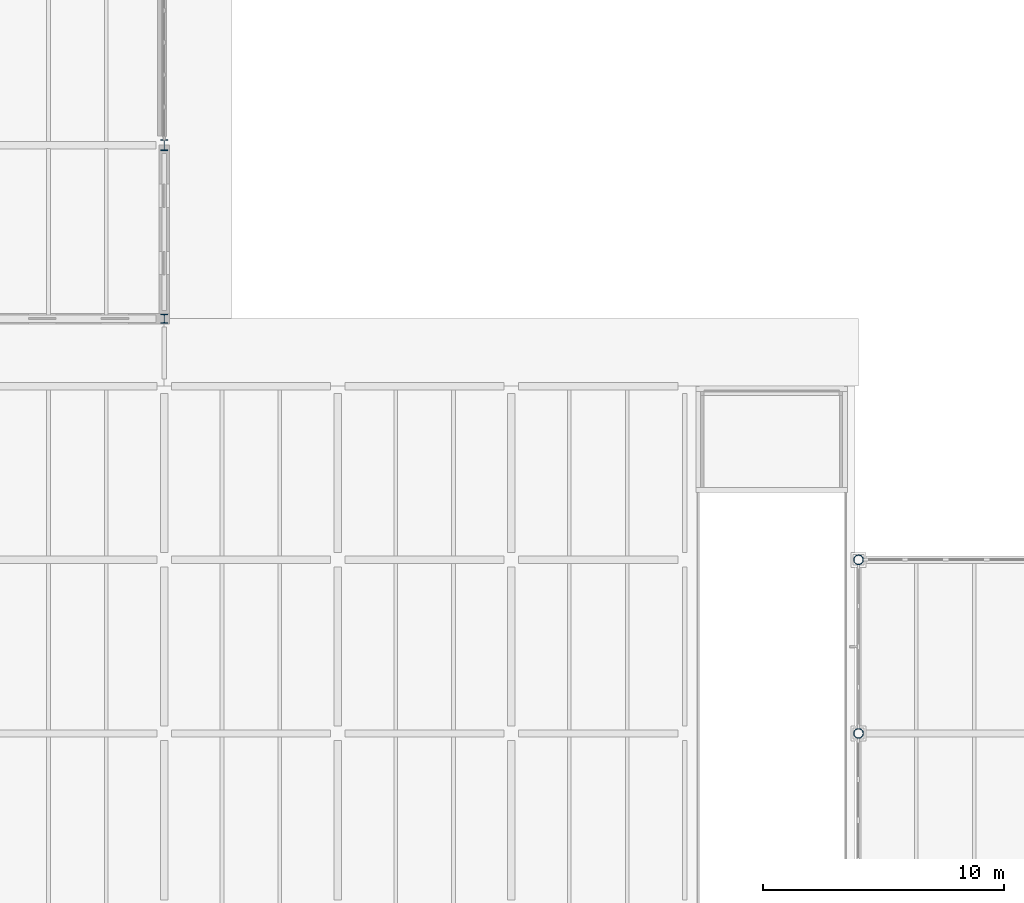
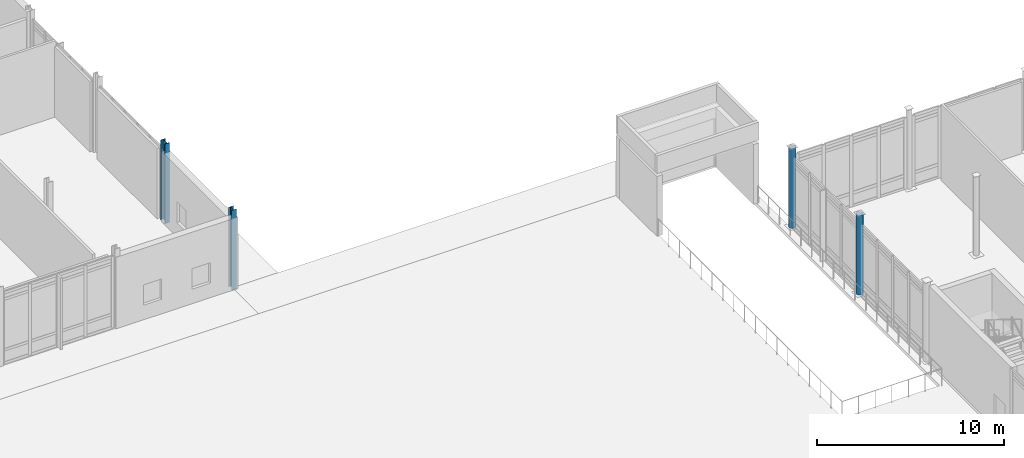
# One storey, part 9 of 89: 4 columns.
"""IFC4 building model written with IfcOpenShell, lengths in metres."""

import ifcopenshell
import ifcopenshell.guid

model = None  # the IFC model being written
_history = None  # IfcOwnerHistory: only IFC2X3 demands one
_inside = {}  # id of a spatial element -> (the spatial element, [elements in it])
_under = {}  # id of a project, library or spatial element -> (it, [spatial elements below it])
_declared = {}  # id of a project -> (the project, [libraries it declares])
_typed = {}  # id of a type object -> (the type object, [elements of that type])
_made_of = {}  # id of a material, layer set ... -> (it, [elements and type objects made of it])


def new_model(schema):
    """Start an empty IFC model of exactly this schema.

    Asked for "IFC4X3", IfcOpenShell would pick the latest addendum, in which some entities
    have other attributes; the version numbers below select the first issue.
    IFC2X3 requires an IfcOwnerHistory on every rooted entity: one is made here for all.
    """
    global model, _history
    if schema == "IFC4X3":
        model = ifcopenshell.file(schema_version=(4, 3, 0, 0))
    else:
        model = ifcopenshell.file(schema=schema)
    _inside.clear()
    _under.clear()
    _declared.clear()
    _typed.clear()
    _made_of.clear()
    _history = None
    if model.schema == "IFC2X3":
        org = make("IfcOrganization", Name="unknown")
        user = make(
            "IfcPersonAndOrganization",
            ThePerson=make("IfcPerson", FamilyName="unknown"),
            TheOrganization=org,
        )
        app = make(
            "IfcApplication",
            ApplicationDeveloper=org,
            Version="unknown",
            ApplicationFullName="unknown",
            ApplicationIdentifier="unknown",
        )
        _history = make(
            "IfcOwnerHistory",
            OwningUser=user,
            OwningApplication=app,
            ChangeAction="ADDED",
            CreationDate=0,
        )
    return model


def make(cls, **values):
    """One entity of the class cls with the attributes given. An attribute that is None is left unset."""
    return model.create_entity(
        cls, **{name: value for name, value in values.items() if value is not None}
    )


def rooted(cls, **values):
    """An entity with a GlobalId (a new one), such as an element, a storey or a relation."""
    return make(cls, GlobalId=ifcopenshell.guid.new(), OwnerHistory=_history, **values)


def si_unit(unit_type, name, prefix=None):
    """IfcSIUnit, for example si_unit("LENGTHUNIT", "METRE", prefix="MILLI")."""
    return make("IfcSIUnit", UnitType=unit_type, Prefix=prefix, Name=name)


def assignment(units):
    """IfcUnitAssignment: the units of a project."""
    return None if units is None else make("IfcUnitAssignment", Units=units)


def point(xyz):
    """IfcCartesianPoint."""
    return None if xyz is None else make("IfcCartesianPoint", Coordinates=xyz)


def direction(xyz):
    """IfcDirection."""
    return None if xyz is None else make("IfcDirection", DirectionRatios=xyz)


def frame(location, z_axis=None, x_axis=None):
    """IfcAxis2Placement3D, a coordinate frame: its origin and axes. An axis left out is left unset."""
    return make(
        "IfcAxis2Placement3D",
        Location=point(location),
        Axis=direction(z_axis),
        RefDirection=direction(x_axis),
    )


def frame_2d(location, x_axis=None):
    """IfcAxis2Placement2D, a coordinate frame in the plane: its origin and x axis."""
    return make(
        "IfcAxis2Placement2D", Location=point(location), RefDirection=direction(x_axis)
    )


def origin():
    """The frame at (0, 0, 0) with its axes left unset."""
    return frame((0.0, 0.0, 0.0))


def origin_2d():
    """The frame at (0, 0) in the plane with its x axis left unset."""
    return frame_2d((0.0, 0.0))


def place(relative_to, where):
    """IfcLocalPlacement: puts the frame where relative to a parent placement (None: the world)."""
    return make(
        "IfcLocalPlacement", PlacementRelTo=relative_to, RelativePlacement=where
    )


def context(
    kind, dimensions, precision=None, world=None, true_north=None, identifier=None
):
    """IfcGeometricRepresentationContext, for example the 3D "Model" context."""
    return make(
        "IfcGeometricRepresentationContext",
        ContextIdentifier=identifier,
        ContextType=kind,
        CoordinateSpaceDimension=dimensions,
        Precision=precision,
        WorldCoordinateSystem=world,
        TrueNorth=true_north,
    )


def subcontext(parent, identifier, kind, view, scale=None):
    """IfcGeometricRepresentationSubContext, for example "Body" below "Model"."""
    return make(
        "IfcGeometricRepresentationSubContext",
        ContextIdentifier=identifier,
        ContextType=kind,
        ParentContext=parent,
        TargetScale=scale,
        TargetView=view,
    )


def project(units=None, contexts=None):
    """IfcProject with its units and contexts."""
    return rooted(
        "IfcProject",
        Name="project",
        RepresentationContexts=contexts,
        UnitsInContext=assignment(units),
    )


def spatial(cls, under=None, at=None, **own):
    """A site, building, storey or space (cls), placed at a placement, below another one or the project."""
    s = rooted(cls, ObjectPlacement=at, **own)
    if under is not None:
        _under.setdefault(under.id(), (under, []))[1].append(s)
    return s


def profile(cls, at=None, kind="AREA", **sizes):
    """A parametric profile (cls). Its sizes go by their IFC names, for example OverallWidth=200.0."""
    return make(cls, ProfileType=kind, Position=at, **sizes)


def hollow_circle(**sizes):
    """IfcCircleHollowProfileDef."""
    return profile("IfcCircleHollowProfileDef", **sizes)


def i_section(**sizes):
    """IfcIShapeProfileDef."""
    return profile("IfcIShapeProfileDef", **sizes)


def extrude(swept, where, along, depth):
    """IfcExtrudedAreaSolid: the profile swept, set in the frame where, extruded along a direction by depth."""
    return make(
        "IfcExtrudedAreaSolid",
        SweptArea=swept,
        Position=where,
        ExtrudedDirection=direction(along),
        Depth=depth,
    )


def shape(context_of_items, identifier, shape_type, items):
    """IfcShapeRepresentation: the items that make up one representation, for example the "Body"."""
    return make(
        "IfcShapeRepresentation",
        ContextOfItems=context_of_items,
        RepresentationIdentifier=identifier,
        RepresentationType=shape_type,
        Items=items,
    )


def material(Name=None, Category=None):
    """IfcMaterial."""
    return make("IfcMaterial", Name=Name, Category=Category)


def material_profile(
    of_material, cross_section, Name=None, Category=None, Priority=None
):
    """IfcMaterialProfile: a cross section and its material."""
    return make(
        "IfcMaterialProfile",
        Name=Name,
        Material=of_material,
        Profile=cross_section,
        Priority=Priority,
        Category=Category,
    )


def profile_set(profiles, Name=None, composite=None):
    """IfcMaterialProfileSet."""
    return make(
        "IfcMaterialProfileSet",
        Name=Name,
        MaterialProfiles=profiles,
        CompositeProfile=composite,
    )


def made_of(thing, what):
    """Note that an element or type object is made of a material, layer set ...; save() writes the relation."""
    if what is not None:
        _made_of.setdefault(what.id(), (what, []))[1].append(thing)
    return thing


def type_object(cls, material=None, **own):
    """A type object (cls), such as IfcWallType, which elements share."""
    return made_of(rooted(cls, **own), material)


def element(
    cls,
    number,
    at=None,
    inside=None,
    cuts=None,
    type_object=None,
    material=None,
    context=None,
    identifier="Body",
    shape_type=None,
    held_by="IfcProductDefinitionShape",
    body=None,
    shapes=None,
    **own,
):
    """One element of the class cls, such as IfcWall. Its Tag is "e" and its number.

    at: its placement. inside: the storey or other place that contains it. cuts: it is an
    opening in that element (IfcRelVoidsElement). A single representation is given by context,
    identifier, shape_type and body (its items); several are given by shapes. held_by: the class
    of the entity that holds the representations. save() writes the other relations.
    """
    e = rooted(cls, Tag="e%d" % number, ObjectPlacement=at, **own)
    if body is not None:
        shapes = [shape(context, identifier, shape_type, body)]
    if shapes is not None:
        e.Representation = make(held_by, Representations=shapes)
    if inside is not None:
        _inside.setdefault(inside.id(), (inside, []))[1].append(e)
    if cuts is not None:
        rooted(
            "IfcRelVoidsElement", RelatingBuildingElement=cuts, RelatedOpeningElement=e
        )
    if type_object is not None:
        _typed.setdefault(type_object.id(), (type_object, []))[1].append(e)
    return made_of(e, material)


def aggregate(whole, parts):
    """IfcRelAggregates: a whole, such as a stair, and the parts it consists of."""
    return rooted("IfcRelAggregates", RelatingObject=whole, RelatedObjects=parts)


def save(model, path):
    """Write the relations noted so far, then the file.

    IfcRelAggregates (storeys below a building ...), IfcRelContainedInSpatialStructure (elements
    in a storey), IfcRelDefinesByType, IfcRelAssociatesMaterial and IfcRelDeclares: one each for
    every whole, place, type object, material and project.
    """
    for whole, parts in _under.values():
        aggregate(whole, parts)
    for where, things in _inside.values():
        rooted(
            "IfcRelContainedInSpatialStructure",
            RelatedElements=things,
            RelatingStructure=where,
        )
    for kind, things in _typed.values():
        rooted("IfcRelDefinesByType", RelatedObjects=things, RelatingType=kind)
    for what, things in _made_of.values():
        rooted("IfcRelAssociatesMaterial", RelatedObjects=things, RelatingMaterial=what)
    for by, libraries in _declared.values():
        rooted("IfcRelDeclares", RelatingContext=by, RelatedDefinitions=libraries)
    model.write(path)


model = new_model("IFC4")

# Units and contexts
model_context = context("Model", 3, precision=1e-05, world=origin(), true_north=direction((0.0, 1.0)))
body_context = subcontext(model_context, "Body", "Model", "MODEL_VIEW")
ifc_project = project(units=[si_unit("LENGTHUNIT", "METRE"), si_unit("AREAUNIT", "SQUARE_METRE"), si_unit("VOLUMEUNIT", "CUBIC_METRE"), si_unit("PLANEANGLEUNIT", "RADIAN"), si_unit("MASSUNIT", "GRAM", prefix="KILO")], contexts=[model_context])

# Site, building, storey
site_placement = place(None, origin())
site = spatial("IfcSite", under=ifc_project, at=site_placement, CompositionType="ELEMENT")
building_placement = place(site_placement, origin())
building = spatial("IfcBuilding", under=site, at=building_placement, Name="Zarrinpeak Specialist Clinic", CompositionType="ELEMENT")
storey_placement = place(building_placement, origin())
storey = spatial("IfcBuildingStorey", under=building, at=storey_placement, Name="L00", CompositionType="ELEMENT", Elevation=0.0)

# Columns
ifc_material = material(Name="Steel S355", Category="steel")
ifc_material_profile_1 = material_profile(ifc_material, hollow_circle(Radius=0.203125, WallThickness=0.01611328125, at=origin_2d()), Name="CHS 406.4x16.0")
ifc_profile_set_1 = profile_set([ifc_material_profile_1], Name="Steel S355")
column_type_1 = type_object("IfcColumnType", Name="COL-CHS406", PredefinedType="COLUMN", material=ifc_profile_set_1)
for number, where, z_axis, x_axis, name in (
    (1, (93.60009765625, 64.800048828125, 0.0), (0.0, 0.0, 1.0), (1.0, 0.0, 0.0), "L00 Structural Column COL-L00-141"),
    (2, (93.60009765625, 72.0, 0.0), (0.0, 0.0, 1.0), (1.0, 0.0, 0.0), "L00 Structural Column COL-L00-142"),
):
    element("IfcColumn", number, at=place(storey_placement, frame(where, z_axis=z_axis, x_axis=x_axis)), inside=storey, type_object=column_type_1, Name=name, PredefinedType="COLUMN", context=body_context, shape_type="SweptSolid", body=[
        extrude(hollow_circle(Radius=0.203125, WallThickness=0.01611328125, at=origin_2d()), origin(), (0.0, 0.0, 1.0), 5.199951171875),
    ])
ifc_material_profile_2 = material_profile(ifc_material, i_section(OverallWidth=0.300048828125, OverallDepth=0.360107421875, WebThickness=0.012451171875, FlangeThickness=0.0224609375, FilletRadius=0.027099609375, at=origin_2d()), Name="HEB 360")
ifc_profile_set_2 = profile_set([ifc_material_profile_2], Name="Steel S355")
column_type_2 = type_object("IfcColumnType", Name="COL-HEB360", PredefinedType="COLUMN", material=ifc_profile_set_2)
column_1_placement = place(storey_placement, frame((64.800048828125, 82.0, 0.0), z_axis=(0.0, 0.0, 1.0), x_axis=(1.0, 0.0, 0.0)))
element("IfcColumn", 3, at=column_1_placement, inside=storey, type_object=column_type_2, Name="L00 Structural Column COL-L00-119", PredefinedType="COLUMN", context=body_context, shape_type="SweptSolid", body=[
    extrude(i_section(OverallWidth=0.300048828125, OverallDepth=0.360107421875, WebThickness=0.012451171875, FlangeThickness=0.0224609375, FilletRadius=0.027099609375, at=origin_2d()), origin(), (0.0, 0.0, 1.0), 5.199951171875),
])
ifc_material_profile_3 = material_profile(ifc_material, i_section(OverallWidth=0.300048828125, OverallDepth=0.449951171875, WebThickness=0.013916015625, FlangeThickness=0.02587890625, FilletRadius=0.027099609375, at=origin_2d()), Name="HEB 450")
ifc_profile_set_3 = profile_set([ifc_material_profile_3], Name="Steel S355")
column_type_3 = type_object("IfcColumnType", Name="COL-HEB450", PredefinedType="COLUMN", material=ifc_profile_set_3)
column_2_placement = place(storey_placement, frame((64.800048828125, 89.199951171875, 0.0), z_axis=(0.0, 0.0, 1.0), x_axis=(1.0, 0.0, 0.0)))
element("IfcColumn", 4, at=column_2_placement, inside=storey, type_object=column_type_3, Name="L00 Structural Column COL-L00-120", PredefinedType="COLUMN", context=body_context, shape_type="SweptSolid", body=[
    extrude(i_section(OverallWidth=0.300048828125, OverallDepth=0.449951171875, WebThickness=0.013916015625, FlangeThickness=0.02587890625, FilletRadius=0.027099609375, at=origin_2d()), origin(), (0.0, 0.0, 1.0), 5.199951171875),
])

save(model, "model.ifc")
